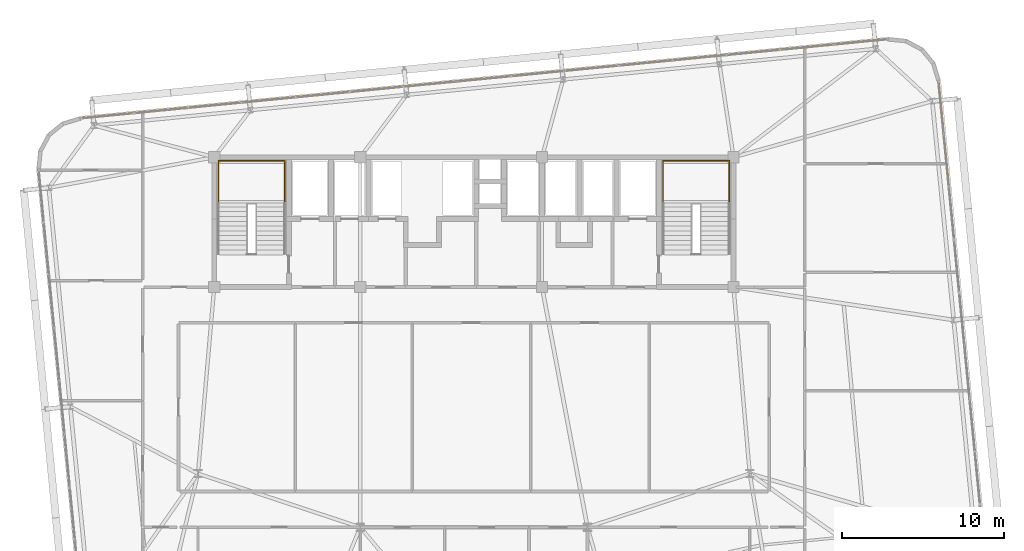
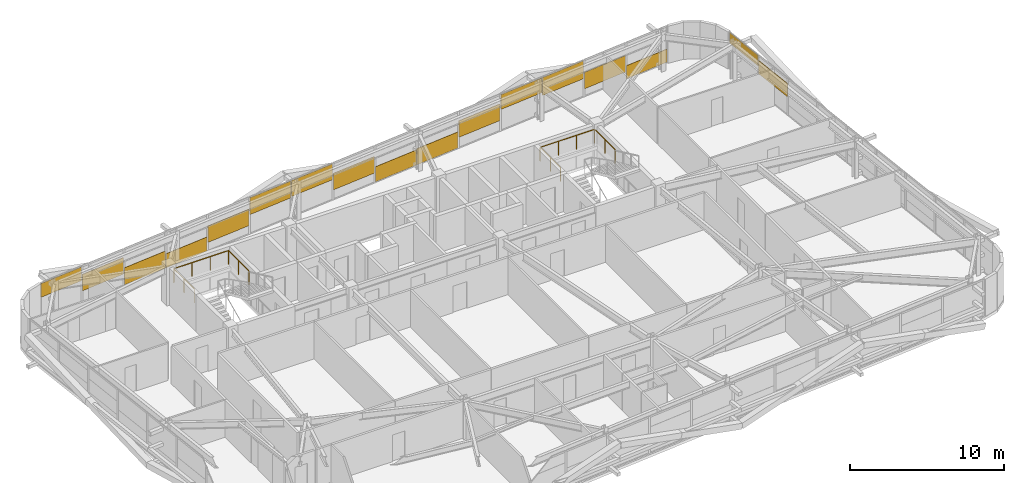
# One storey, part 52 of 52: 17 coverings, 2 railings.
"""IFC4 building model written with IfcOpenShell, lengths in metres."""

from ifc_helpers import new_model, si_unit, direction, frame, origin, origin_2d, place, context, subcontext, project, spatial, rectangle, extrude, source, transform, mapped, material, layer, layer_set, type_object, element, save


model = new_model("IFC4")

# Units and contexts
model_context = context("Model", 3, precision=1e-05, world=origin(), true_north=direction((0.0, 1.0)))
body_context = subcontext(model_context, "Body", "Model", "MODEL_VIEW")
ifc_project = project(units=[si_unit("LENGTHUNIT", "METRE"), si_unit("AREAUNIT", "SQUARE_METRE"), si_unit("VOLUMEUNIT", "CUBIC_METRE"), si_unit("PLANEANGLEUNIT", "RADIAN"), si_unit("MASSUNIT", "GRAM", prefix="KILO")], contexts=[model_context])

# Site, building, storey
site_placement = place(None, origin())
site = spatial("IfcSite", under=ifc_project, at=site_placement, CompositionType="ELEMENT")
building_placement = place(site_placement, origin())
building = spatial("IfcBuilding", under=site, at=building_placement, Name="Taldren Reach Tower", CompositionType="ELEMENT")
storey_placement = place(building_placement, frame((0.0, 0.0, 96.60009765625)))
storey = spatial("IfcBuildingStorey", under=building, at=storey_placement, Name="L29", CompositionType="ELEMENT", Elevation=96.60009765625)

# Railings
ifc_material_1 = material(Name="Steel Gr 350 (C350L0)", Category="steel")
ifc_layer_1 = layer(ifc_material_1, 0.050048828125)
ifc_layer_set_1 = layer_set([ifc_layer_1], Name="Steel Gr 350 (C350L0)")
railing_type = type_object("IfcRailingType", Name="RL-STAIR-GR", PredefinedType="GUARDRAIL", material=ifc_layer_set_1)
for number, where, name in (
    (1, (19.260009765625, 29.135009765625, 1.574951171875), "Stair half-landing perimeter guard ST1-L29"),
    (2, (46.659912109375, 29.135009765625, 1.574951171875), "Stair half-landing perimeter guard ST2-L29"),
):
    element("IfcRailing", number, at=place(storey_placement, frame(where)), inside=storey, type_object=railing_type, Name=name, PredefinedType="GUARDRAIL", context=body_context, shape_type="SweptSolid", body=[
        extrude(rectangle(XDim=0.047852, YDim=0.047852, at=origin_2d()), frame((0.0, 0.0, 1.09619140625), z_axis=(0.0, 1.0, 0.0), x_axis=(-1.0, 0.0, 0.0)), (0.0, 0.0, 1.0), 2.64501953125),
        extrude(rectangle(XDim=0.047852, YDim=0.047852, at=origin_2d()), frame((0.0, 2.64501953125, 1.09619140625), z_axis=(1.0, 0.0, 0.0), x_axis=(0.0, 1.0, 0.0)), (0.0, 0.0, 1.0), 4.080078125),
        extrude(rectangle(XDim=0.047852, YDim=0.047852, at=origin_2d()), frame((4.080078125, 2.64501953125, 1.09619140625), z_axis=(0.0, -1.0, 0.0), x_axis=(1.0, 0.0, 0.0)), (0.0, 0.0, 1.0), 2.64501953125),
        extrude(rectangle(XDim=0.041992, YDim=0.041992, at=origin_2d()), origin(), (0.0, 0.0, 1.0), 1.072021484375),
        extrude(rectangle(XDim=0.041992, YDim=0.041992, at=origin_2d()), frame((0.0, 1.322509765625, 0.0)), (0.0, 0.0, 1.0), 1.072021484375),
        extrude(rectangle(XDim=0.041992, YDim=0.041992, at=origin_2d()), frame((0.0, 2.64501953125, 0.0)), (0.0, 0.0, 1.0), 1.072021484375),
        extrude(rectangle(XDim=0.041992, YDim=0.041992, at=origin_2d()), frame((1.360107421875, 2.64501953125, 0.0)), (0.0, 0.0, 1.0), 1.072021484375),
        extrude(rectangle(XDim=0.041992, YDim=0.041992, at=origin_2d()), frame((2.719970703125, 2.64501953125, 0.0)), (0.0, 0.0, 1.0), 1.072021484375),
        extrude(rectangle(XDim=0.041992, YDim=0.041992, at=origin_2d()), frame((4.080078125, 2.64501953125, 0.0)), (0.0, 0.0, 1.0), 1.072021484375),
        extrude(rectangle(XDim=0.041992, YDim=0.041992, at=origin_2d()), frame((4.080078125, 1.322509765625, 0.0)), (0.0, 0.0, 1.0), 1.072021484375),
        extrude(rectangle(XDim=0.041992, YDim=0.041992, at=origin_2d()), frame((4.080078125, 0.0, 0.0)), (0.0, 0.0, 1.0), 1.072021484375),
    ])

# Coverings
ifc_material_2 = material(Name="Pale Champagne Fluoropolymer Aluminium Spandrel Cladding", Category="aluminium")
ifc_layer_2 = layer(ifc_material_2, 0.0439453125)
ifc_layer_set_2 = layer_set([ifc_layer_2], Name="Pale Champagne Fluoropolymer Aluminium Spandrel Cladding")
covering_type = type_object("IfcCoveringType", Name="CV-CLAD-044", PredefinedType="CLADDING", material=ifc_layer_set_2)
shared_shape_1 = source(origin(), body_context, "Body", "SweptSolid", [
    extrude(rectangle(XDim=3.23583984375, YDim=0.0439453125, at=origin_2d()), origin(), (0.0, 0.0, 1.0), 1.094970703125),
])
covering_1_placement = place(storey_placement, frame((12.42578125, 34.550537109375, 1.77978515625), z_axis=(0.0, 0.0, 1.0), x_axis=(-0.995227390247, -0.097582999046, 0.0)))
element("IfcCovering", 3, at=covering_1_placement, inside=storey, type_object=covering_type, Name="Diagrid closure cladding strip CW-3 panel 15.1 1", PredefinedType="CLADDING", context=body_context, shape_type="MappedRepresentation", body=[
    mapped(shared_shape_1, transform((0.0, 0.0, 0.0), scale=1.0)),
])
shared_shape_2 = source(origin(), body_context, "Body", "SweptSolid", [
    extrude(rectangle(XDim=3.268310546875, YDim=0.0439453125, at=origin_2d()), origin(), (0.0, 0.0, 1.0), 1.3046875),
])
for number, where, z_axis, x_axis, name in (
    (4, (55.5361328125, 38.777587890625, 0.621826171875), (0.0, 0.0, 1.0), (-0.995227390247, -0.097582999046, 0.0), "Diagrid closure cladding strip CW-3 panel 2.1 1"),
    (5, (45.583740234375, 37.8017578125, 0.86279296875), (0.0, 0.0, 1.0), (-0.995227390247, -0.097582999046, 0.0), "Diagrid closure cladding strip CW-3 panel 5.1 1"),
    (6, (35.631591796875, 36.825927734375, 0.782470703125), (0.0, 0.0, 1.0), (-0.995227390247, -0.097582999046, 0.0), "Diagrid closure cladding strip CW-3 panel 8.1 1"),
    (7, (25.67919921875, 35.85009765625, 0.7021484375), (0.0, 0.0, 1.0), (-0.995227390247, -0.097582999046, 0.0), "Diagrid closure cladding strip CW-3 panel 11.1 1"),
    (8, (15.72705078125, 34.874267578125, 0.943115234375), (0.0, 0.0, 1.0), (-0.995227390247, -0.097582999046, 0.0), "Diagrid closure cladding strip CW-3 panel 14.1 1"),
):
    element("IfcCovering", number, at=place(storey_placement, frame(where, z_axis=z_axis, x_axis=x_axis)), inside=storey, type_object=covering_type, Name=name, PredefinedType="CLADDING", context=body_context, shape_type="MappedRepresentation", body=[
        mapped(shared_shape_2, transform((0.0, 0.0, 0.0), scale=1.0)),
    ])
shared_shape_3 = source(origin(), body_context, "Body", "SweptSolid", [
    extrude(rectangle(XDim=3.268310546875, YDim=0.0439453125, at=origin_2d()), origin(), (0.0, 0.0, 1.0), 1.356201171875),
])
covering_2_placement = place(storey_placement, frame((19.04443359375, 35.199462890625, 0.0546875), z_axis=(0.0, 0.0, 1.0), x_axis=(-0.995227390247, -0.097582999046, 0.0)))
element("IfcCovering", 9, at=covering_2_placement, inside=storey, type_object=covering_type, Name="Diagrid closure cladding strip CW-3 panel 13.1 1", PredefinedType="CLADDING", context=body_context, shape_type="MappedRepresentation", body=[
    mapped(shared_shape_3, transform((0.0, 0.0, 0.0), scale=1.0)),
])
shared_shape_4 = source(origin(), body_context, "Body", "SweptSolid", [
    extrude(rectangle(XDim=3.268310546875, YDim=0.0439453125, at=origin_2d()), origin(), (0.0, 0.0, 1.0), 1.115234375),
])
covering_3_placement = place(storey_placement, frame((22.36181640625, 35.52490234375, 0.054931640625), z_axis=(0.0, 0.0, 1.0), x_axis=(-0.995227390247, -0.097582999046, 0.0)))
element("IfcCovering", 10, at=covering_3_placement, inside=storey, type_object=covering_type, Name="Diagrid closure cladding strip CW-3 panel 12.1 1", PredefinedType="CLADDING", context=body_context, shape_type="MappedRepresentation", body=[
    mapped(shared_shape_4, transform((0.0, 0.0, 0.0), scale=1.0)),
])
shared_shape_5 = source(origin(), body_context, "Body", "SweptSolid", [
    extrude(rectangle(XDim=3.268310546875, YDim=0.0439453125, at=origin_2d()), origin(), (0.0, 0.0, 1.0), 1.3359375),
])
covering_4_placement = place(storey_placement, frame((28.996826171875, 36.17529296875, 1.5390625), z_axis=(0.0, 0.0, 1.0), x_axis=(-0.995227390247, -0.097582999046, 0.0)))
element("IfcCovering", 11, at=covering_4_placement, inside=storey, type_object=covering_type, Name="Diagrid closure cladding strip CW-3 panel 10.1 1", PredefinedType="CLADDING", context=body_context, shape_type="MappedRepresentation", body=[
    mapped(shared_shape_5, transform((0.0, 0.0, 0.0), scale=1.0)),
])
shared_shape_6 = source(origin(), body_context, "Body", "SweptSolid", [
    extrude(rectangle(XDim=3.268310546875, YDim=0.0439453125, at=origin_2d()), origin(), (0.0, 0.0, 1.0), 1.255615234375),
])
covering_5_placement = place(storey_placement, frame((32.314208984375, 36.500732421875, 1.619140625), z_axis=(0.0, 0.0, 1.0), x_axis=(-0.995227390247, -0.097582999046, 0.0)))
element("IfcCovering", 12, at=covering_5_placement, inside=storey, type_object=covering_type, Name="Diagrid closure cladding strip CW-3 panel 9.1 1", PredefinedType="CLADDING", context=body_context, shape_type="MappedRepresentation", body=[
    mapped(shared_shape_6, transform((0.0, 0.0, 0.0), scale=1.0)),
])
shared_shape_7 = source(origin(), body_context, "Body", "SweptSolid", [
    extrude(rectangle(XDim=3.268310546875, YDim=0.0439453125, at=origin_2d()), origin(), (0.0, 0.0, 1.0), 1.195556640625),
])
covering_6_placement = place(storey_placement, frame((38.948974609375, 37.151123046875, 0.0546875), z_axis=(0.0, 0.0, 1.0), x_axis=(-0.995227390247, -0.097582999046, 0.0)))
element("IfcCovering", 13, at=covering_6_placement, inside=storey, type_object=covering_type, Name="Diagrid closure cladding strip CW-3 panel 7.1 1", PredefinedType="CLADDING", context=body_context, shape_type="MappedRepresentation", body=[
    mapped(shared_shape_7, transform((0.0, 0.0, 0.0), scale=1.0)),
])
shared_shape_8 = source(origin(), body_context, "Body", "SweptSolid", [
    extrude(rectangle(XDim=3.268310546875, YDim=0.0439453125, at=origin_2d()), origin(), (0.0, 0.0, 1.0), 1.27587890625),
])
covering_7_placement = place(storey_placement, frame((42.266357421875, 37.4765625, 0.054931640625), z_axis=(0.0, 0.0, 1.0), x_axis=(-0.995227390247, -0.097582999046, 0.0)))
element("IfcCovering", 14, at=covering_7_placement, inside=storey, type_object=covering_type, Name="Diagrid closure cladding strip CW-3 panel 6.1 1", PredefinedType="CLADDING", context=body_context, shape_type="MappedRepresentation", body=[
    mapped(shared_shape_8, transform((0.0, 0.0, 0.0), scale=1.0)),
])
shared_shape_9 = source(origin(), body_context, "Body", "SweptSolid", [
    extrude(rectangle(XDim=3.268310546875, YDim=0.0439453125, at=origin_2d()), origin(), (0.0, 0.0, 1.0), 1.17529296875),
])
covering_8_placement = place(storey_placement, frame((48.9013671875, 38.126953125, 1.69970703125), z_axis=(0.0, 0.0, 1.0), x_axis=(-0.995227390247, -0.097582999046, 0.0)))
element("IfcCovering", 15, at=covering_8_placement, inside=storey, type_object=covering_type, Name="Diagrid closure cladding strip CW-3 panel 4.1 1", PredefinedType="CLADDING", context=body_context, shape_type="MappedRepresentation", body=[
    mapped(shared_shape_9, transform((0.0, 0.0, 0.0), scale=1.0)),
])
shared_shape_10 = source(origin(), body_context, "Body", "SweptSolid", [
    extrude(rectangle(XDim=3.268310546875, YDim=0.0439453125, at=origin_2d()), origin(), (0.0, 0.0, 1.0), 1.416259765625),
])
covering_9_placement = place(storey_placement, frame((52.21875, 38.452392578125, 1.45849609375), z_axis=(0.0, 0.0, 1.0), x_axis=(-0.995227390247, -0.097582999046, 0.0)))
element("IfcCovering", 16, at=covering_9_placement, inside=storey, type_object=covering_type, Name="Diagrid closure cladding strip CW-3 panel 3.1 1", PredefinedType="CLADDING", context=body_context, shape_type="MappedRepresentation", body=[
    mapped(shared_shape_10, transform((0.0, 0.0, 0.0), scale=1.0)),
])
shared_shape_11 = source(origin(), body_context, "Body", "SweptSolid", [
    extrude(rectangle(XDim=3.23583984375, YDim=0.0439453125, at=origin_2d()), origin(), (0.0, 0.0, 1.0), 1.034912109375),
])
covering_10_placement = place(storey_placement, frame((58.83740234375, 39.101318359375, 0.0546875), z_axis=(0.0, 0.0, 1.0), x_axis=(-0.995227390247, -0.097582999046, 0.0)))
element("IfcCovering", 17, at=covering_10_placement, inside=storey, type_object=covering_type, Name="Diagrid closure cladding strip CW-3 panel 1.1 1", PredefinedType="CLADDING", context=body_context, shape_type="MappedRepresentation", body=[
    mapped(shared_shape_11, transform((0.0, 0.0, 0.0), scale=1.0)),
])
shared_shape_12 = source(origin(), body_context, "Body", "SweptSolid", [
    extrude(rectangle(XDim=3.18017578125, YDim=0.0439453125, at=origin_2d()), origin(), (0.0, 0.0, 1.0), 0.83056640625),
])
covering_11_placement = place(storey_placement, frame((63.79931640625, 35.051025390625, 2.04443359375), z_axis=(0.0, 0.0, 1.0), x_axis=(-0.09758274098, 0.99522741555, 0.0)))
element("IfcCovering", 18, at=covering_11_placement, inside=storey, type_object=covering_type, Name="Diagrid closure cladding strip CW-3 panel 9.1 1", PredefinedType="CLADDING", context=body_context, shape_type="MappedRepresentation", body=[
    mapped(shared_shape_12, transform((0.0, 0.0, 0.0), scale=1.0)),
])
shared_shape_13 = source(origin(), body_context, "Body", "SweptSolid", [
    extrude(rectangle(XDim=3.212890625, YDim=0.0439453125, at=origin_2d()), origin(), (0.0, 0.0, 1.0), 1.053466796875),
])
covering_12_placement = place(storey_placement, frame((64.117431640625, 31.80517578125, 1.45654296875), z_axis=(0.0, 0.0, 1.0), x_axis=(-0.09758274098, 0.99522741555, 0.0)))
element("IfcCovering", 19, at=covering_12_placement, inside=storey, type_object=covering_type, Name="Diagrid closure cladding strip CW-3 panel 8.1 1", PredefinedType="CLADDING", context=body_context, shape_type="MappedRepresentation", body=[
    mapped(shared_shape_13, transform((0.0, 0.0, 0.0), scale=1.0)),
])

save(model, "model.ifc")
